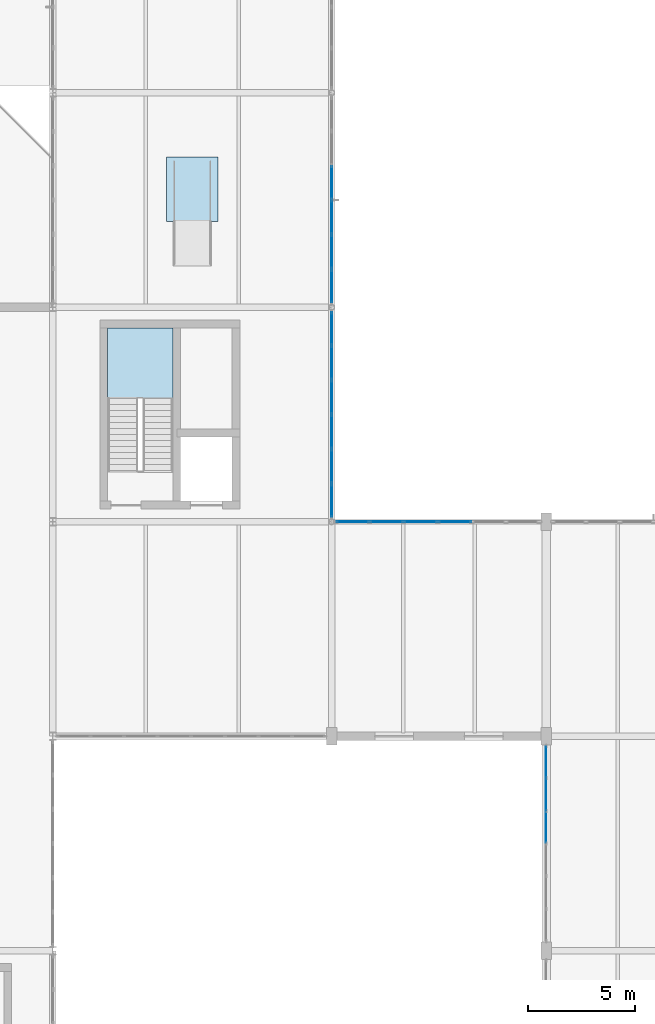
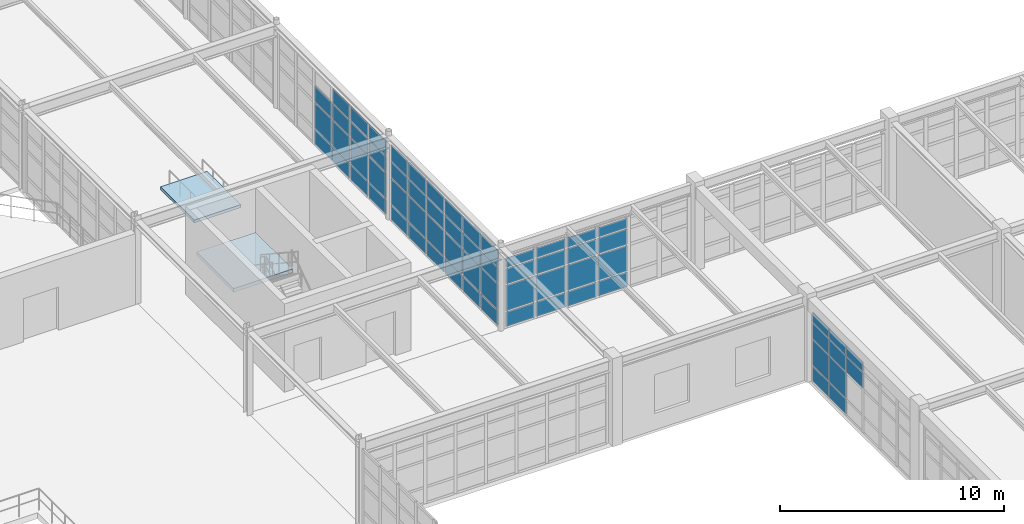
# One storey, part 101 of 139: 65 plates, 2 slabs, 5 elements without a shape of their own.
"""IFC4 building model written with IfcOpenShell, lengths in metres."""

from ifc_helpers import new_model, si_unit, direction, frame, origin, origin_2d, place, context, subcontext, project, spatial, polyline, rectangle, outline, extrude, material, layer, layer_set, type_object, element, aggregate, save


model = new_model("IFC4")

# Units and contexts
model_context = context("Model", 3, precision=1e-05, world=origin(), true_north=direction((0.0, 1.0)))
body_context = subcontext(model_context, "Body", "Model", "MODEL_VIEW")
ifc_project = project(units=[si_unit("LENGTHUNIT", "METRE"), si_unit("AREAUNIT", "SQUARE_METRE"), si_unit("VOLUMEUNIT", "CUBIC_METRE"), si_unit("PLANEANGLEUNIT", "RADIAN"), si_unit("MASSUNIT", "GRAM", prefix="KILO"), si_unit("THERMODYNAMICTEMPERATUREUNIT", "KELVIN"), si_unit("POWERUNIT", "WATT")], contexts=[model_context])

# Site, building, storey
site_placement = place(None, origin())
site = spatial("IfcSite", under=ifc_project, at=site_placement, CompositionType="ELEMENT")
building_placement = place(site_placement, origin())
building = spatial("IfcBuilding", under=site, at=building_placement, Name="Korenveer Ferry Terminal", CompositionType="ELEMENT")
storey_placement = place(building_placement, frame((0.0, 0.0, 5.39990234375)))
storey = spatial("IfcBuildingStorey", under=building, at=storey_placement, Name="L01", CompositionType="ELEMENT", Elevation=5.39990234375)

# Curtain wall, plates
ifc_material_1 = material(Name="Unitised bronze-and-glass curtain wall", Category="glass")
ifc_layer_1 = layer(ifc_material_1, 0.159912109375)
ifc_layer_set_1 = layer_set([ifc_layer_1], Name="Unitised bronze-and-glass curtain wall")
curtain_wall_type_1 = type_object("IfcCurtainWallType", Name="ENV-CW-79", PredefinedType="USERDEFINED", material=ifc_layer_set_1)
curtain_wall_1_placement = place(storey_placement, frame((146.0, 60.429931640625, 0.0)))
curtain_wall_1 = element("IfcCurtainWall", 1, at=curtain_wall_1_placement, inside=storey, type_object=curtain_wall_type_1, Name="Lancet curtain wall CWX-L01-X146-146-Y60-70", ObjectType="UNITISED CURTAIN WALL", PredefinedType="USERDEFINED")
ifc_material_2 = material(Name="Low-iron solar-control double glazing", Category="glass")
ifc_layer_2 = layer(ifc_material_2, 0.028076171875)
ifc_layer_set_2 = layer_set([ifc_layer_2], Name="Low-iron solar-control double glazing")
plate_type_1 = type_object("IfcPlateType", Name="ENV-CWP-GLZ28", PredefinedType="CURTAIN_PANEL", material=ifc_layer_set_2)
plate_1_placement = place(storey_placement, frame((146.0, 65.76171875, 2.3798828125), z_axis=(0.0, 0.0, 1.0), x_axis=(0.0, 1.0, 0.0)))
plate_1 = element("IfcPlate", 2, at=plate_1_placement, type_object=plate_type_1, Name="CW-79 panel 4.3", PredefinedType="CURTAIN_PANEL", context=body_context, shape_type="SweptSolid", body=[
    extrude(rectangle(XDim=1.46337890625, YDim=0.028076171875, at=origin_2d()), origin(), (0.0, 0.0, 1.0), 0.840087890625),
])
plate_2_placement = place(storey_placement, frame((146.0, 65.76171875, 3.2802734375), z_axis=(0.0, 0.0, 1.0), x_axis=(0.0, 1.0, 0.0)))
plate_2 = element("IfcPlate", 3, at=plate_2_placement, type_object=plate_type_1, Name="CW-79 panel 4.4", PredefinedType="CURTAIN_PANEL", context=body_context, shape_type="SweptSolid", body=[
    extrude(rectangle(XDim=1.46337890625, YDim=0.028076171875, at=origin_2d()), origin(), (0.0, 0.0, 1.0), 0.530029296875),
])
plate_3_placement = place(storey_placement, frame((146.0, 67.284912109375, 0.06005859375), z_axis=(0.0, 0.0, 1.0), x_axis=(0.0, 1.0, 0.0)))
plate_3 = element("IfcPlate", 4, at=plate_3_placement, type_object=plate_type_1, Name="CW-79 panel 5.1", PredefinedType="CURTAIN_PANEL", context=body_context, shape_type="SweptSolid", body=[
    extrude(rectangle(XDim=1.46337890625, YDim=0.028076171875, at=origin_2d()), origin(), (0.0, 0.0, 1.0), 0.81005859375),
])
plate_4_placement = place(storey_placement, frame((146.0, 67.284912109375, 0.93017578125), z_axis=(0.0, 0.0, 1.0), x_axis=(0.0, 1.0, 0.0)))
plate_4 = element("IfcPlate", 5, at=plate_4_placement, type_object=plate_type_1, Name="CW-79 panel 5.2", PredefinedType="CURTAIN_PANEL", context=body_context, shape_type="SweptSolid", body=[
    extrude(rectangle(XDim=1.46337890625, YDim=0.028076171875, at=origin_2d()), origin(), (0.0, 0.0, 1.0), 1.389892578125),
])
plate_5_placement = place(storey_placement, frame((146.0, 67.284912109375, 2.3798828125), z_axis=(0.0, 0.0, 1.0), x_axis=(0.0, 1.0, 0.0)))
plate_5 = element("IfcPlate", 6, at=plate_5_placement, type_object=plate_type_1, Name="CW-79 panel 5.3", PredefinedType="CURTAIN_PANEL", context=body_context, shape_type="SweptSolid", body=[
    extrude(rectangle(XDim=1.46337890625, YDim=0.028076171875, at=origin_2d()), origin(), (0.0, 0.0, 1.0), 0.840087890625),
])
plate_6_placement = place(storey_placement, frame((146.0, 67.284912109375, 3.2802734375), z_axis=(0.0, 0.0, 1.0), x_axis=(0.0, 1.0, 0.0)))
plate_6 = element("IfcPlate", 7, at=plate_6_placement, type_object=plate_type_1, Name="CW-79 panel 5.4", PredefinedType="CURTAIN_PANEL", context=body_context, shape_type="SweptSolid", body=[
    extrude(rectangle(XDim=1.46337890625, YDim=0.028076171875, at=origin_2d()), origin(), (0.0, 0.0, 1.0), 0.530029296875),
])
plate_7_placement = place(storey_placement, frame((146.0, 68.793212890625, 0.06005859375), z_axis=(0.0, 0.0, 1.0), x_axis=(0.0, 1.0, 0.0)))
plate_7 = element("IfcPlate", 8, at=plate_7_placement, type_object=plate_type_1, Name="CW-79 panel 6.1", PredefinedType="CURTAIN_PANEL", context=body_context, shape_type="SweptSolid", body=[
    extrude(rectangle(XDim=1.433349609375, YDim=0.028076171875, at=origin_2d()), origin(), (0.0, 0.0, 1.0), 0.81005859375),
])
plate_8_placement = place(storey_placement, frame((146.0, 68.793212890625, 0.93017578125), z_axis=(0.0, 0.0, 1.0), x_axis=(0.0, 1.0, 0.0)))
plate_8 = element("IfcPlate", 9, at=plate_8_placement, type_object=plate_type_1, Name="CW-79 panel 6.2", PredefinedType="CURTAIN_PANEL", context=body_context, shape_type="SweptSolid", body=[
    extrude(rectangle(XDim=1.433349609375, YDim=0.028076171875, at=origin_2d()), origin(), (0.0, 0.0, 1.0), 1.389892578125),
])
plate_9_placement = place(storey_placement, frame((146.0, 68.793212890625, 2.3798828125), z_axis=(0.0, 0.0, 1.0), x_axis=(0.0, 1.0, 0.0)))
plate_9 = element("IfcPlate", 10, at=plate_9_placement, type_object=plate_type_1, Name="CW-79 panel 6.3", PredefinedType="CURTAIN_PANEL", context=body_context, shape_type="SweptSolid", body=[
    extrude(rectangle(XDim=1.433349609375, YDim=0.028076171875, at=origin_2d()), origin(), (0.0, 0.0, 1.0), 0.840087890625),
])
plate_10_placement = place(storey_placement, frame((146.0, 68.793212890625, 3.2802734375), z_axis=(0.0, 0.0, 1.0), x_axis=(0.0, 1.0, 0.0)))
plate_10 = element("IfcPlate", 11, at=plate_10_placement, type_object=plate_type_1, Name="CW-79 panel 6.4", PredefinedType="CURTAIN_PANEL", context=body_context, shape_type="SweptSolid", body=[
    extrude(rectangle(XDim=1.433349609375, YDim=0.028076171875, at=origin_2d()), origin(), (0.0, 0.0, 1.0), 0.530029296875),
])
aggregate(curtain_wall_1, [plate_1, plate_2, plate_3, plate_4, plate_5, plate_6, plate_7, plate_8, plate_9, plate_10])

ifc_layer_3 = layer(ifc_material_1, 0.219970703125)
ifc_layer_set_3 = layer_set([ifc_layer_3], Name="Unitised bronze-and-glass curtain wall")
curtain_wall_type_2 = type_object("IfcCurtainWallType", Name="ENV-CW-53", PredefinedType="USERDEFINED", material=ifc_layer_set_3)
curtain_wall_2_placement = place(storey_placement, frame((136.16650390625, 80.0, 0.0)))
curtain_wall_2 = element("IfcCurtainWall", 12, at=curtain_wall_2_placement, inside=storey, type_object=curtain_wall_type_2, Name="Lancet curtain wall CWX-L01-X136-146-Y80-80", ObjectType="UNITISED CURTAIN WALL", PredefinedType="USERDEFINED")
ifc_material_3 = material(Name="Acoustic laminated marine glazing", Category="glass")
ifc_layer_4 = layer(ifc_material_3, 0.035888671875)
ifc_layer_set_4 = layer_set([ifc_layer_4], Name="Acoustic laminated marine glazing")
plate_type_2 = type_object("IfcPlateType", Name="ENV-CWP-GLZ36", PredefinedType="CURTAIN_PANEL", material=ifc_layer_set_4)
plate_11_placement = place(storey_placement, frame((136.9814453125, 80.0, 0.074951171875), z_axis=(0.0, 0.0, 1.0), x_axis=(1.0, 0.0, 0.0)))
plate_11 = element("IfcPlate", 13, at=plate_11_placement, type_object=plate_type_2, Name="CW-53 panel 1.1", PredefinedType="CURTAIN_PANEL", context=body_context, shape_type="SweptSolid", body=[
    extrude(rectangle(XDim=1.479736328125, YDim=0.035888671875, at=origin_2d()), origin(), (0.0, 0.0, 1.0), 0.78759765625),
])
plate_12_placement = place(storey_placement, frame((136.9814453125, 80.0, 0.9375), z_axis=(0.0, 0.0, 1.0), x_axis=(1.0, 0.0, 0.0)))
plate_12 = element("IfcPlate", 14, at=plate_12_placement, type_object=plate_type_2, Name="CW-53 panel 1.2", PredefinedType="CURTAIN_PANEL", context=body_context, shape_type="SweptSolid", body=[
    extrude(rectangle(XDim=1.479736328125, YDim=0.035888671875, at=origin_2d()), origin(), (0.0, 0.0, 1.0), 1.375),
])
plate_13_placement = place(storey_placement, frame((136.9814453125, 80.0, 2.3876953125), z_axis=(0.0, 0.0, 1.0), x_axis=(1.0, 0.0, 0.0)))
plate_13 = element("IfcPlate", 15, at=plate_13_placement, type_object=plate_type_2, Name="CW-53 panel 1.3", PredefinedType="CURTAIN_PANEL", context=body_context, shape_type="SweptSolid", body=[
    extrude(rectangle(XDim=1.479736328125, YDim=0.035888671875, at=origin_2d()), origin(), (0.0, 0.0, 1.0), 0.824951171875),
])
plate_14_placement = place(storey_placement, frame((136.9814453125, 80.0, 3.28759765625), z_axis=(0.0, 0.0, 1.0), x_axis=(1.0, 0.0, 0.0)))
plate_14 = element("IfcPlate", 16, at=plate_14_placement, type_object=plate_type_2, Name="CW-53 panel 1.4", PredefinedType="CURTAIN_PANEL", context=body_context, shape_type="SweptSolid", body=[
    extrude(rectangle(XDim=1.479736328125, YDim=0.035888671875, at=origin_2d()), origin(), (0.0, 0.0, 1.0), 0.507568359375),
])
plate_15_placement = place(storey_placement, frame((138.554931640625, 80.0, 0.074951171875), z_axis=(0.0, 0.0, 1.0), x_axis=(1.0, 0.0, 0.0)))
plate_15 = element("IfcPlate", 17, at=plate_15_placement, type_object=plate_type_2, Name="CW-53 panel 2.1", PredefinedType="CURTAIN_PANEL", context=body_context, shape_type="SweptSolid", body=[
    extrude(rectangle(XDim=1.517333984375, YDim=0.035888671875, at=origin_2d()), origin(), (0.0, 0.0, 1.0), 0.78759765625),
])
plate_16_placement = place(storey_placement, frame((138.554931640625, 80.0, 0.9375), z_axis=(0.0, 0.0, 1.0), x_axis=(1.0, 0.0, 0.0)))
plate_16 = element("IfcPlate", 18, at=plate_16_placement, type_object=plate_type_2, Name="CW-53 panel 2.2", PredefinedType="CURTAIN_PANEL", context=body_context, shape_type="SweptSolid", body=[
    extrude(rectangle(XDim=1.517333984375, YDim=0.035888671875, at=origin_2d()), origin(), (0.0, 0.0, 1.0), 1.375),
])
plate_17_placement = place(storey_placement, frame((138.554931640625, 80.0, 2.3876953125), z_axis=(0.0, 0.0, 1.0), x_axis=(1.0, 0.0, 0.0)))
plate_17 = element("IfcPlate", 19, at=plate_17_placement, type_object=plate_type_2, Name="CW-53 panel 2.3", PredefinedType="CURTAIN_PANEL", context=body_context, shape_type="SweptSolid", body=[
    extrude(rectangle(XDim=1.517333984375, YDim=0.035888671875, at=origin_2d()), origin(), (0.0, 0.0, 1.0), 0.824951171875),
])
plate_18_placement = place(storey_placement, frame((138.554931640625, 80.0, 3.28759765625), z_axis=(0.0, 0.0, 1.0), x_axis=(1.0, 0.0, 0.0)))
plate_18 = element("IfcPlate", 20, at=plate_18_placement, type_object=plate_type_2, Name="CW-53 panel 2.4", PredefinedType="CURTAIN_PANEL", context=body_context, shape_type="SweptSolid", body=[
    extrude(rectangle(XDim=1.517333984375, YDim=0.035888671875, at=origin_2d()), origin(), (0.0, 0.0, 1.0), 0.507568359375),
])
plate_19_placement = place(storey_placement, frame((140.147216796875, 80.0, 0.074951171875), z_axis=(0.0, 0.0, 1.0), x_axis=(1.0, 0.0, 0.0)))
plate_19 = element("IfcPlate", 21, at=plate_19_placement, type_object=plate_type_2, Name="CW-53 panel 3.1", PredefinedType="CURTAIN_PANEL", context=body_context, shape_type="SweptSolid", body=[
    extrude(rectangle(XDim=1.517333984375, YDim=0.035888671875, at=origin_2d()), origin(), (0.0, 0.0, 1.0), 0.78759765625),
])
plate_20_placement = place(storey_placement, frame((140.147216796875, 80.0, 0.9375), z_axis=(0.0, 0.0, 1.0), x_axis=(1.0, 0.0, 0.0)))
plate_20 = element("IfcPlate", 22, at=plate_20_placement, type_object=plate_type_2, Name="CW-53 panel 3.2", PredefinedType="CURTAIN_PANEL", context=body_context, shape_type="SweptSolid", body=[
    extrude(rectangle(XDim=1.517333984375, YDim=0.035888671875, at=origin_2d()), origin(), (0.0, 0.0, 1.0), 1.375),
])
plate_21_placement = place(storey_placement, frame((140.147216796875, 80.0, 2.3876953125), z_axis=(0.0, 0.0, 1.0), x_axis=(1.0, 0.0, 0.0)))
plate_21 = element("IfcPlate", 23, at=plate_21_placement, type_object=plate_type_2, Name="CW-53 panel 3.3", PredefinedType="CURTAIN_PANEL", context=body_context, shape_type="SweptSolid", body=[
    extrude(rectangle(XDim=1.517333984375, YDim=0.035888671875, at=origin_2d()), origin(), (0.0, 0.0, 1.0), 0.824951171875),
])
plate_22_placement = place(storey_placement, frame((140.147216796875, 80.0, 3.28759765625), z_axis=(0.0, 0.0, 1.0), x_axis=(1.0, 0.0, 0.0)))
plate_22 = element("IfcPlate", 24, at=plate_22_placement, type_object=plate_type_2, Name="CW-53 panel 3.4", PredefinedType="CURTAIN_PANEL", context=body_context, shape_type="SweptSolid", body=[
    extrude(rectangle(XDim=1.517333984375, YDim=0.035888671875, at=origin_2d()), origin(), (0.0, 0.0, 1.0), 0.507568359375),
])
plate_23_placement = place(storey_placement, frame((141.7392578125, 80.0, 0.074951171875), z_axis=(0.0, 0.0, 1.0), x_axis=(1.0, 0.0, 0.0)))
plate_23 = element("IfcPlate", 25, at=plate_23_placement, type_object=plate_type_2, Name="CW-53 panel 4.1", PredefinedType="CURTAIN_PANEL", context=body_context, shape_type="SweptSolid", body=[
    extrude(rectangle(XDim=1.517333984375, YDim=0.035888671875, at=origin_2d()), origin(), (0.0, 0.0, 1.0), 0.78759765625),
])
plate_24_placement = place(storey_placement, frame((141.7392578125, 80.0, 0.9375), z_axis=(0.0, 0.0, 1.0), x_axis=(1.0, 0.0, 0.0)))
plate_24 = element("IfcPlate", 26, at=plate_24_placement, type_object=plate_type_2, Name="CW-53 panel 4.2", PredefinedType="CURTAIN_PANEL", context=body_context, shape_type="SweptSolid", body=[
    extrude(rectangle(XDim=1.517333984375, YDim=0.035888671875, at=origin_2d()), origin(), (0.0, 0.0, 1.0), 1.375),
])
plate_25_placement = place(storey_placement, frame((141.7392578125, 80.0, 2.3876953125), z_axis=(0.0, 0.0, 1.0), x_axis=(1.0, 0.0, 0.0)))
plate_25 = element("IfcPlate", 27, at=plate_25_placement, type_object=plate_type_2, Name="CW-53 panel 4.3", PredefinedType="CURTAIN_PANEL", context=body_context, shape_type="SweptSolid", body=[
    extrude(rectangle(XDim=1.517333984375, YDim=0.035888671875, at=origin_2d()), origin(), (0.0, 0.0, 1.0), 0.824951171875),
])
plate_26_placement = place(storey_placement, frame((141.7392578125, 80.0, 3.28759765625), z_axis=(0.0, 0.0, 1.0), x_axis=(1.0, 0.0, 0.0)))
plate_26 = element("IfcPlate", 28, at=plate_26_placement, type_object=plate_type_2, Name="CW-53 panel 4.4", PredefinedType="CURTAIN_PANEL", context=body_context, shape_type="SweptSolid", body=[
    extrude(rectangle(XDim=1.517333984375, YDim=0.035888671875, at=origin_2d()), origin(), (0.0, 0.0, 1.0), 0.507568359375),
])
aggregate(curtain_wall_2, [plate_11, plate_12, plate_13, plate_14, plate_15, plate_16, plate_17, plate_18, plate_19, plate_20, plate_21, plate_22, plate_23, plate_24, plate_25, plate_26])

ifc_layer_5 = layer(ifc_material_1, 0.219970703125)
ifc_layer_set_5 = layer_set([ifc_layer_5], Name="Unitised bronze-and-glass curtain wall")
curtain_wall_type_3 = type_object("IfcCurtainWallType", Name="ENV-CW-65", PredefinedType="USERDEFINED", material=ifc_layer_set_5)
curtain_wall_3_placement = place(storey_placement, frame((136.0, 89.83349609375, 0.0)))
curtain_wall_3 = element("IfcCurtainWall", 29, at=curtain_wall_3_placement, inside=storey, type_object=curtain_wall_type_3, Name="Lancet curtain wall CWX-L01-X136-136-Y80-90", ObjectType="UNITISED CURTAIN WALL", PredefinedType="USERDEFINED")
plate_27_placement = place(storey_placement, frame((136.0, 89.00927734375, 0.074951171875), z_axis=(0.0, 0.0, 1.0), x_axis=(0.0, -1.0, 0.0)))
plate_27 = element("IfcPlate", 30, at=plate_27_placement, type_object=plate_type_2, Name="CW-65 panel 1.1", PredefinedType="CURTAIN_PANEL", context=body_context, shape_type="SweptSolid", body=[
    extrude(rectangle(XDim=1.498779296875, YDim=0.035888671875, at=origin_2d()), origin(), (0.0, 0.0, 1.0), 0.78759765625),
])
plate_28_placement = place(storey_placement, frame((136.0, 89.00927734375, 0.9375), z_axis=(0.0, 0.0, 1.0), x_axis=(0.0, -1.0, 0.0)))
plate_28 = element("IfcPlate", 31, at=plate_28_placement, type_object=plate_type_2, Name="CW-65 panel 1.2", PredefinedType="CURTAIN_PANEL", context=body_context, shape_type="SweptSolid", body=[
    extrude(rectangle(XDim=1.498779296875, YDim=0.035888671875, at=origin_2d()), origin(), (0.0, 0.0, 1.0), 1.375),
])
plate_29_placement = place(storey_placement, frame((136.0, 89.00927734375, 2.3876953125), z_axis=(0.0, 0.0, 1.0), x_axis=(0.0, -1.0, 0.0)))
plate_29 = element("IfcPlate", 32, at=plate_29_placement, type_object=plate_type_2, Name="CW-65 panel 1.3", PredefinedType="CURTAIN_PANEL", context=body_context, shape_type="SweptSolid", body=[
    extrude(rectangle(XDim=1.498779296875, YDim=0.035888671875, at=origin_2d()), origin(), (0.0, 0.0, 1.0), 0.824951171875),
])
plate_30_placement = place(storey_placement, frame((136.0, 89.00927734375, 3.28759765625), z_axis=(0.0, 0.0, 1.0), x_axis=(0.0, -1.0, 0.0)))
plate_30 = element("IfcPlate", 33, at=plate_30_placement, type_object=plate_type_2, Name="CW-65 panel 1.4", PredefinedType="CURTAIN_PANEL", context=body_context, shape_type="SweptSolid", body=[
    extrude(rectangle(XDim=1.498779296875, YDim=0.035888671875, at=origin_2d()), origin(), (0.0, 0.0, 1.0), 0.867431640625),
])
plate_31_placement = place(storey_placement, frame((136.0, 87.416748046875, 0.074951171875), z_axis=(0.0, 0.0, 1.0), x_axis=(0.0, -1.0, 0.0)))
plate_31 = element("IfcPlate", 34, at=plate_31_placement, type_object=plate_type_2, Name="CW-65 panel 2.1", PredefinedType="CURTAIN_PANEL", context=body_context, shape_type="SweptSolid", body=[
    extrude(rectangle(XDim=1.5361328125, YDim=0.035888671875, at=origin_2d()), origin(), (0.0, 0.0, 1.0), 0.78759765625),
])
plate_32_placement = place(storey_placement, frame((136.0, 87.416748046875, 0.9375), z_axis=(0.0, 0.0, 1.0), x_axis=(0.0, -1.0, 0.0)))
plate_32 = element("IfcPlate", 35, at=plate_32_placement, type_object=plate_type_2, Name="CW-65 panel 2.2", PredefinedType="CURTAIN_PANEL", context=body_context, shape_type="SweptSolid", body=[
    extrude(rectangle(XDim=1.5361328125, YDim=0.035888671875, at=origin_2d()), origin(), (0.0, 0.0, 1.0), 1.375),
])
plate_33_placement = place(storey_placement, frame((136.0, 87.416748046875, 2.3876953125), z_axis=(0.0, 0.0, 1.0), x_axis=(0.0, -1.0, 0.0)))
plate_33 = element("IfcPlate", 36, at=plate_33_placement, type_object=plate_type_2, Name="CW-65 panel 2.3", PredefinedType="CURTAIN_PANEL", context=body_context, shape_type="SweptSolid", body=[
    extrude(rectangle(XDim=1.5361328125, YDim=0.035888671875, at=origin_2d()), origin(), (0.0, 0.0, 1.0), 0.824951171875),
])
plate_34_placement = place(storey_placement, frame((136.0, 87.416748046875, 3.28759765625), z_axis=(0.0, 0.0, 1.0), x_axis=(0.0, -1.0, 0.0)))
plate_34 = element("IfcPlate", 37, at=plate_34_placement, type_object=plate_type_2, Name="CW-65 panel 2.4", PredefinedType="CURTAIN_PANEL", context=body_context, shape_type="SweptSolid", body=[
    extrude(rectangle(XDim=1.5361328125, YDim=0.035888671875, at=origin_2d()), origin(), (0.0, 0.0, 1.0), 0.867431640625),
])
plate_35_placement = place(storey_placement, frame((136.0, 85.8056640625, 0.074951171875), z_axis=(0.0, 0.0, 1.0), x_axis=(0.0, -1.0, 0.0)))
plate_35 = element("IfcPlate", 38, at=plate_35_placement, type_object=plate_type_2, Name="CW-65 panel 3.1", PredefinedType="CURTAIN_PANEL", context=body_context, shape_type="SweptSolid", body=[
    extrude(rectangle(XDim=1.5361328125, YDim=0.035888671875, at=origin_2d()), origin(), (0.0, 0.0, 1.0), 0.78759765625),
])
plate_36_placement = place(storey_placement, frame((136.0, 85.8056640625, 0.9375), z_axis=(0.0, 0.0, 1.0), x_axis=(0.0, -1.0, 0.0)))
plate_36 = element("IfcPlate", 39, at=plate_36_placement, type_object=plate_type_2, Name="CW-65 panel 3.2", PredefinedType="CURTAIN_PANEL", context=body_context, shape_type="SweptSolid", body=[
    extrude(rectangle(XDim=1.5361328125, YDim=0.035888671875, at=origin_2d()), origin(), (0.0, 0.0, 1.0), 1.375),
])
plate_37_placement = place(storey_placement, frame((136.0, 85.8056640625, 2.3876953125), z_axis=(0.0, 0.0, 1.0), x_axis=(0.0, -1.0, 0.0)))
plate_37 = element("IfcPlate", 40, at=plate_37_placement, type_object=plate_type_2, Name="CW-65 panel 3.3", PredefinedType="CURTAIN_PANEL", context=body_context, shape_type="SweptSolid", body=[
    extrude(rectangle(XDim=1.5361328125, YDim=0.035888671875, at=origin_2d()), origin(), (0.0, 0.0, 1.0), 0.824951171875),
])
plate_38_placement = place(storey_placement, frame((136.0, 85.8056640625, 3.28759765625), z_axis=(0.0, 0.0, 1.0), x_axis=(0.0, -1.0, 0.0)))
plate_38 = element("IfcPlate", 41, at=plate_38_placement, type_object=plate_type_2, Name="CW-65 panel 3.4", PredefinedType="CURTAIN_PANEL", context=body_context, shape_type="SweptSolid", body=[
    extrude(rectangle(XDim=1.5361328125, YDim=0.035888671875, at=origin_2d()), origin(), (0.0, 0.0, 1.0), 0.867431640625),
])
plate_39_placement = place(storey_placement, frame((136.0, 84.1943359375, 0.074951171875), z_axis=(0.0, 0.0, 1.0), x_axis=(0.0, -1.0, 0.0)))
plate_39 = element("IfcPlate", 42, at=plate_39_placement, type_object=plate_type_2, Name="CW-65 panel 4.1", PredefinedType="CURTAIN_PANEL", context=body_context, shape_type="SweptSolid", body=[
    extrude(rectangle(XDim=1.5361328125, YDim=0.035888671875, at=origin_2d()), origin(), (0.0, 0.0, 1.0), 0.78759765625),
])
plate_40_placement = place(storey_placement, frame((136.0, 84.1943359375, 0.9375), z_axis=(0.0, 0.0, 1.0), x_axis=(0.0, -1.0, 0.0)))
plate_40 = element("IfcPlate", 43, at=plate_40_placement, type_object=plate_type_2, Name="CW-65 panel 4.2", PredefinedType="CURTAIN_PANEL", context=body_context, shape_type="SweptSolid", body=[
    extrude(rectangle(XDim=1.5361328125, YDim=0.035888671875, at=origin_2d()), origin(), (0.0, 0.0, 1.0), 1.375),
])
plate_41_placement = place(storey_placement, frame((136.0, 84.1943359375, 2.3876953125), z_axis=(0.0, 0.0, 1.0), x_axis=(0.0, -1.0, 0.0)))
plate_41 = element("IfcPlate", 44, at=plate_41_placement, type_object=plate_type_2, Name="CW-65 panel 4.3", PredefinedType="CURTAIN_PANEL", context=body_context, shape_type="SweptSolid", body=[
    extrude(rectangle(XDim=1.5361328125, YDim=0.035888671875, at=origin_2d()), origin(), (0.0, 0.0, 1.0), 0.824951171875),
])
plate_42_placement = place(storey_placement, frame((136.0, 84.1943359375, 3.28759765625), z_axis=(0.0, 0.0, 1.0), x_axis=(0.0, -1.0, 0.0)))
plate_42 = element("IfcPlate", 45, at=plate_42_placement, type_object=plate_type_2, Name="CW-65 panel 4.4", PredefinedType="CURTAIN_PANEL", context=body_context, shape_type="SweptSolid", body=[
    extrude(rectangle(XDim=1.5361328125, YDim=0.035888671875, at=origin_2d()), origin(), (0.0, 0.0, 1.0), 0.867431640625),
])
plate_43_placement = place(storey_placement, frame((136.0, 82.583251953125, 0.074951171875), z_axis=(0.0, 0.0, 1.0), x_axis=(0.0, -1.0, 0.0)))
plate_43 = element("IfcPlate", 46, at=plate_43_placement, type_object=plate_type_2, Name="CW-65 panel 5.1", PredefinedType="CURTAIN_PANEL", context=body_context, shape_type="SweptSolid", body=[
    extrude(rectangle(XDim=1.5361328125, YDim=0.035888671875, at=origin_2d()), origin(), (0.0, 0.0, 1.0), 0.78759765625),
])
plate_44_placement = place(storey_placement, frame((136.0, 82.583251953125, 0.9375), z_axis=(0.0, 0.0, 1.0), x_axis=(0.0, -1.0, 0.0)))
plate_44 = element("IfcPlate", 47, at=plate_44_placement, type_object=plate_type_2, Name="CW-65 panel 5.2", PredefinedType="CURTAIN_PANEL", context=body_context, shape_type="SweptSolid", body=[
    extrude(rectangle(XDim=1.5361328125, YDim=0.035888671875, at=origin_2d()), origin(), (0.0, 0.0, 1.0), 1.375),
])
plate_45_placement = place(storey_placement, frame((136.0, 82.583251953125, 2.3876953125), z_axis=(0.0, 0.0, 1.0), x_axis=(0.0, -1.0, 0.0)))
plate_45 = element("IfcPlate", 48, at=plate_45_placement, type_object=plate_type_2, Name="CW-65 panel 5.3", PredefinedType="CURTAIN_PANEL", context=body_context, shape_type="SweptSolid", body=[
    extrude(rectangle(XDim=1.5361328125, YDim=0.035888671875, at=origin_2d()), origin(), (0.0, 0.0, 1.0), 0.824951171875),
])
plate_46_placement = place(storey_placement, frame((136.0, 82.583251953125, 3.28759765625), z_axis=(0.0, 0.0, 1.0), x_axis=(0.0, -1.0, 0.0)))
plate_46 = element("IfcPlate", 49, at=plate_46_placement, type_object=plate_type_2, Name="CW-65 panel 5.4", PredefinedType="CURTAIN_PANEL", context=body_context, shape_type="SweptSolid", body=[
    extrude(rectangle(XDim=1.5361328125, YDim=0.035888671875, at=origin_2d()), origin(), (0.0, 0.0, 1.0), 0.867431640625),
])
plate_47_placement = place(storey_placement, frame((136.0, 80.99072265625, 0.074951171875), z_axis=(0.0, 0.0, 1.0), x_axis=(0.0, -1.0, 0.0)))
plate_47 = element("IfcPlate", 50, at=plate_47_placement, type_object=plate_type_2, Name="CW-65 panel 6.1", PredefinedType="CURTAIN_PANEL", context=body_context, shape_type="SweptSolid", body=[
    extrude(rectangle(XDim=1.498779296875, YDim=0.035888671875, at=origin_2d()), origin(), (0.0, 0.0, 1.0), 0.78759765625),
])
plate_48_placement = place(storey_placement, frame((136.0, 80.99072265625, 0.9375), z_axis=(0.0, 0.0, 1.0), x_axis=(0.0, -1.0, 0.0)))
plate_48 = element("IfcPlate", 51, at=plate_48_placement, type_object=plate_type_2, Name="CW-65 panel 6.2", PredefinedType="CURTAIN_PANEL", context=body_context, shape_type="SweptSolid", body=[
    extrude(rectangle(XDim=1.498779296875, YDim=0.035888671875, at=origin_2d()), origin(), (0.0, 0.0, 1.0), 1.375),
])
plate_49_placement = place(storey_placement, frame((136.0, 80.99072265625, 2.3876953125), z_axis=(0.0, 0.0, 1.0), x_axis=(0.0, -1.0, 0.0)))
plate_49 = element("IfcPlate", 52, at=plate_49_placement, type_object=plate_type_2, Name="CW-65 panel 6.3", PredefinedType="CURTAIN_PANEL", context=body_context, shape_type="SweptSolid", body=[
    extrude(rectangle(XDim=1.498779296875, YDim=0.035888671875, at=origin_2d()), origin(), (0.0, 0.0, 1.0), 0.824951171875),
])
plate_50_placement = place(storey_placement, frame((136.0, 80.99072265625, 3.28759765625), z_axis=(0.0, 0.0, 1.0), x_axis=(0.0, -1.0, 0.0)))
plate_50 = element("IfcPlate", 53, at=plate_50_placement, type_object=plate_type_2, Name="CW-65 panel 6.4", PredefinedType="CURTAIN_PANEL", context=body_context, shape_type="SweptSolid", body=[
    extrude(rectangle(XDim=1.498779296875, YDim=0.035888671875, at=origin_2d()), origin(), (0.0, 0.0, 1.0), 0.867431640625),
])
aggregate(curtain_wall_3, [plate_27, plate_28, plate_29, plate_30, plate_31, plate_32, plate_33, plate_34, plate_35, plate_36, plate_37, plate_38, plate_39, plate_40, plate_41, plate_42, plate_43, plate_44, plate_45, plate_46, plate_47, plate_48, plate_49, plate_50])

ifc_layer_6 = layer(ifc_material_1, 0.219970703125)
ifc_layer_set_6 = layer_set([ifc_layer_6], Name="Unitised bronze-and-glass curtain wall")
curtain_wall_type_4 = type_object("IfcCurtainWallType", Name="ENV-CW-76", PredefinedType="USERDEFINED", material=ifc_layer_set_6)
curtain_wall_4_placement = place(storey_placement, frame((136.0, 99.83349609375, 0.0)))
curtain_wall_4 = element("IfcCurtainWall", 54, at=curtain_wall_4_placement, inside=storey, type_object=curtain_wall_type_4, Name="Lancet curtain wall CWX-L01-X136-136-Y90-100", ObjectType="UNITISED CURTAIN WALL", PredefinedType="USERDEFINED")
plate_51_placement = place(storey_placement, frame((136.0, 95.8056640625, 0.074951171875), z_axis=(0.0, 0.0, 1.0), x_axis=(0.0, -1.0, 0.0)))
plate_51 = element("IfcPlate", 55, at=plate_51_placement, type_object=plate_type_2, Name="CW-76 panel 3.1", PredefinedType="CURTAIN_PANEL", context=body_context, shape_type="SweptSolid", body=[
    extrude(rectangle(XDim=1.5361328125, YDim=0.035888671875, at=origin_2d()), origin(), (0.0, 0.0, 1.0), 0.78759765625),
])
plate_52_placement = place(storey_placement, frame((136.0, 95.8056640625, 0.9375), z_axis=(0.0, 0.0, 1.0), x_axis=(0.0, -1.0, 0.0)))
plate_52 = element("IfcPlate", 56, at=plate_52_placement, type_object=plate_type_2, Name="CW-76 panel 3.2", PredefinedType="CURTAIN_PANEL", context=body_context, shape_type="SweptSolid", body=[
    extrude(rectangle(XDim=1.5361328125, YDim=0.035888671875, at=origin_2d()), origin(), (0.0, 0.0, 1.0), 1.375),
])
plate_53_placement = place(storey_placement, frame((136.0, 95.8056640625, 2.3876953125), z_axis=(0.0, 0.0, 1.0), x_axis=(0.0, -1.0, 0.0)))
plate_53 = element("IfcPlate", 57, at=plate_53_placement, type_object=plate_type_2, Name="CW-76 panel 3.3", PredefinedType="CURTAIN_PANEL", context=body_context, shape_type="SweptSolid", body=[
    extrude(rectangle(XDim=1.5361328125, YDim=0.035888671875, at=origin_2d()), origin(), (0.0, 0.0, 1.0), 0.824951171875),
])
plate_54_placement = place(storey_placement, frame((136.0, 94.1943359375, 0.074951171875), z_axis=(0.0, 0.0, 1.0), x_axis=(0.0, -1.0, 0.0)))
plate_54 = element("IfcPlate", 58, at=plate_54_placement, type_object=plate_type_2, Name="CW-76 panel 4.1", PredefinedType="CURTAIN_PANEL", context=body_context, shape_type="SweptSolid", body=[
    extrude(rectangle(XDim=1.5361328125, YDim=0.035888671875, at=origin_2d()), origin(), (0.0, 0.0, 1.0), 0.78759765625),
])
plate_55_placement = place(storey_placement, frame((136.0, 94.1943359375, 0.9375), z_axis=(0.0, 0.0, 1.0), x_axis=(0.0, -1.0, 0.0)))
plate_55 = element("IfcPlate", 59, at=plate_55_placement, type_object=plate_type_2, Name="CW-76 panel 4.2", PredefinedType="CURTAIN_PANEL", context=body_context, shape_type="SweptSolid", body=[
    extrude(rectangle(XDim=1.5361328125, YDim=0.035888671875, at=origin_2d()), origin(), (0.0, 0.0, 1.0), 1.375),
])
plate_56_placement = place(storey_placement, frame((136.0, 94.1943359375, 2.3876953125), z_axis=(0.0, 0.0, 1.0), x_axis=(0.0, -1.0, 0.0)))
plate_56 = element("IfcPlate", 60, at=plate_56_placement, type_object=plate_type_2, Name="CW-76 panel 4.3", PredefinedType="CURTAIN_PANEL", context=body_context, shape_type="SweptSolid", body=[
    extrude(rectangle(XDim=1.5361328125, YDim=0.035888671875, at=origin_2d()), origin(), (0.0, 0.0, 1.0), 0.824951171875),
])
plate_57_placement = place(storey_placement, frame((136.0, 94.1943359375, 3.28759765625), z_axis=(0.0, 0.0, 1.0), x_axis=(0.0, -1.0, 0.0)))
plate_57 = element("IfcPlate", 61, at=plate_57_placement, type_object=plate_type_2, Name="CW-76 panel 4.4", PredefinedType="CURTAIN_PANEL", context=body_context, shape_type="SweptSolid", body=[
    extrude(rectangle(XDim=1.5361328125, YDim=0.035888671875, at=origin_2d()), origin(), (0.0, 0.0, 1.0), 0.767578125),
])
plate_58_placement = place(storey_placement, frame((136.0, 92.583251953125, 0.074951171875), z_axis=(0.0, 0.0, 1.0), x_axis=(0.0, -1.0, 0.0)))
plate_58 = element("IfcPlate", 62, at=plate_58_placement, type_object=plate_type_2, Name="CW-76 panel 5.1", PredefinedType="CURTAIN_PANEL", context=body_context, shape_type="SweptSolid", body=[
    extrude(rectangle(XDim=1.5361328125, YDim=0.035888671875, at=origin_2d()), origin(), (0.0, 0.0, 1.0), 0.78759765625),
])
plate_59_placement = place(storey_placement, frame((136.0, 92.583251953125, 0.9375), z_axis=(0.0, 0.0, 1.0), x_axis=(0.0, -1.0, 0.0)))
plate_59 = element("IfcPlate", 63, at=plate_59_placement, type_object=plate_type_2, Name="CW-76 panel 5.2", PredefinedType="CURTAIN_PANEL", context=body_context, shape_type="SweptSolid", body=[
    extrude(rectangle(XDim=1.5361328125, YDim=0.035888671875, at=origin_2d()), origin(), (0.0, 0.0, 1.0), 1.375),
])
plate_60_placement = place(storey_placement, frame((136.0, 92.583251953125, 2.3876953125), z_axis=(0.0, 0.0, 1.0), x_axis=(0.0, -1.0, 0.0)))
plate_60 = element("IfcPlate", 64, at=plate_60_placement, type_object=plate_type_2, Name="CW-76 panel 5.3", PredefinedType="CURTAIN_PANEL", context=body_context, shape_type="SweptSolid", body=[
    extrude(rectangle(XDim=1.5361328125, YDim=0.035888671875, at=origin_2d()), origin(), (0.0, 0.0, 1.0), 0.824951171875),
])
plate_61_placement = place(storey_placement, frame((136.0, 92.583251953125, 3.28759765625), z_axis=(0.0, 0.0, 1.0), x_axis=(0.0, -1.0, 0.0)))
plate_61 = element("IfcPlate", 65, at=plate_61_placement, type_object=plate_type_2, Name="CW-76 panel 5.4", PredefinedType="CURTAIN_PANEL", context=body_context, shape_type="SweptSolid", body=[
    extrude(rectangle(XDim=1.5361328125, YDim=0.035888671875, at=origin_2d()), origin(), (0.0, 0.0, 1.0), 0.767578125),
])
plate_62_placement = place(storey_placement, frame((136.0, 90.99072265625, 0.074951171875), z_axis=(0.0, 0.0, 1.0), x_axis=(0.0, -1.0, 0.0)))
plate_62 = element("IfcPlate", 66, at=plate_62_placement, type_object=plate_type_2, Name="CW-76 panel 6.1", PredefinedType="CURTAIN_PANEL", context=body_context, shape_type="SweptSolid", body=[
    extrude(rectangle(XDim=1.498779296875, YDim=0.035888671875, at=origin_2d()), origin(), (0.0, 0.0, 1.0), 0.78759765625),
])
plate_63_placement = place(storey_placement, frame((136.0, 90.99072265625, 0.9375), z_axis=(0.0, 0.0, 1.0), x_axis=(0.0, -1.0, 0.0)))
plate_63 = element("IfcPlate", 67, at=plate_63_placement, type_object=plate_type_2, Name="CW-76 panel 6.2", PredefinedType="CURTAIN_PANEL", context=body_context, shape_type="SweptSolid", body=[
    extrude(rectangle(XDim=1.498779296875, YDim=0.035888671875, at=origin_2d()), origin(), (0.0, 0.0, 1.0), 1.375),
])
plate_64_placement = place(storey_placement, frame((136.0, 90.99072265625, 2.3876953125), z_axis=(0.0, 0.0, 1.0), x_axis=(0.0, -1.0, 0.0)))
plate_64 = element("IfcPlate", 68, at=plate_64_placement, type_object=plate_type_2, Name="CW-76 panel 6.3", PredefinedType="CURTAIN_PANEL", context=body_context, shape_type="SweptSolid", body=[
    extrude(rectangle(XDim=1.498779296875, YDim=0.035888671875, at=origin_2d()), origin(), (0.0, 0.0, 1.0), 0.824951171875),
])
plate_65_placement = place(storey_placement, frame((136.0, 90.99072265625, 3.28759765625), z_axis=(0.0, 0.0, 1.0), x_axis=(0.0, -1.0, 0.0)))
plate_65 = element("IfcPlate", 69, at=plate_65_placement, type_object=plate_type_2, Name="CW-76 panel 6.4", PredefinedType="CURTAIN_PANEL", context=body_context, shape_type="SweptSolid", body=[
    extrude(rectangle(XDim=1.498779296875, YDim=0.035888671875, at=origin_2d()), origin(), (0.0, 0.0, 1.0), 0.767578125),
])
aggregate(curtain_wall_4, [plate_51, plate_52, plate_53, plate_54, plate_55, plate_56, plate_57, plate_58, plate_59, plate_60, plate_61, plate_62, plate_63, plate_64, plate_65])

# Stair, slab
ifc_material_4 = material(Name="Concrete C40/50", Category="concrete")
stair_type = type_object("IfcStairType", Name="INT-ST-08", PredefinedType="HALF_TURN_STAIR", material=ifc_material_4)
stair_placement = place(storey_placement, frame((127.889892578125, 82.3798828125, 0.0)))
stair = element("IfcStair", 70, at=stair_placement, inside=storey, type_object=stair_type, Name="L01 East Berth Pier Core K8", PredefinedType="HALF_TURN_STAIR")
ifc_layer_7 = layer(ifc_material_4, 0.199951171875)
ifc_layer_set_7 = layer_set([ifc_layer_7], Name="Concrete C40/50")
slab_type_1 = type_object("IfcSlabType", Name="INT-SL-LAND200", PredefinedType="LANDING", material=ifc_layer_set_7)
slab_1_placement = place(storey_placement, frame((0.0, 0.0, 2.2001953125)))
slab_1 = element("IfcSlab", 71, at=slab_1_placement, type_object=slab_type_1, Name="ST08 landing 1", PredefinedType="LANDING", context=body_context, shape_type="SweptSolid", body=[
    extrude(outline(polyline([(128.60009765625, 85.739990234375), (128.60009765625, 89.0400390625), (125.56005859375, 89.0400390625), (125.56005859375, 85.739990234375), (128.60009765625, 85.739990234375)])), origin(), (0.0, 0.0, 1.0), 0.199951171875),
])
aggregate(stair, [slab_1])

# Slab
ifc_material_5 = material(Name="Concrete C35/45", Category="concrete")
ifc_layer_8 = layer(ifc_material_5, 0.159912109375)
ifc_layer_set_8 = layer_set([ifc_layer_8], Name="Concrete C35/45")
slab_type_2 = type_object("IfcSlabType", Name="STR-SL-WING160", PredefinedType="ROOF", material=ifc_layer_set_8)
slab_2_placement = place(storey_placement, origin())
element("IfcSlab", 72, at=slab_2_placement, inside=storey, type_object=slab_type_2, Name="East Berth Gate Accessible Ramp boarding plinth", PredefinedType="ROOF", context=body_context, shape_type="SweptSolid", body=[
    extrude(outline(polyline([(128.300048828125, 94.0), (130.699951171875, 94.0), (130.699951171875, 97.0), (128.300048828125, 97.0), (128.300048828125, 94.0)])), origin(), (0.0, 0.0, 1.0), 0.16015625),
])

save(model, "model.ifc")
